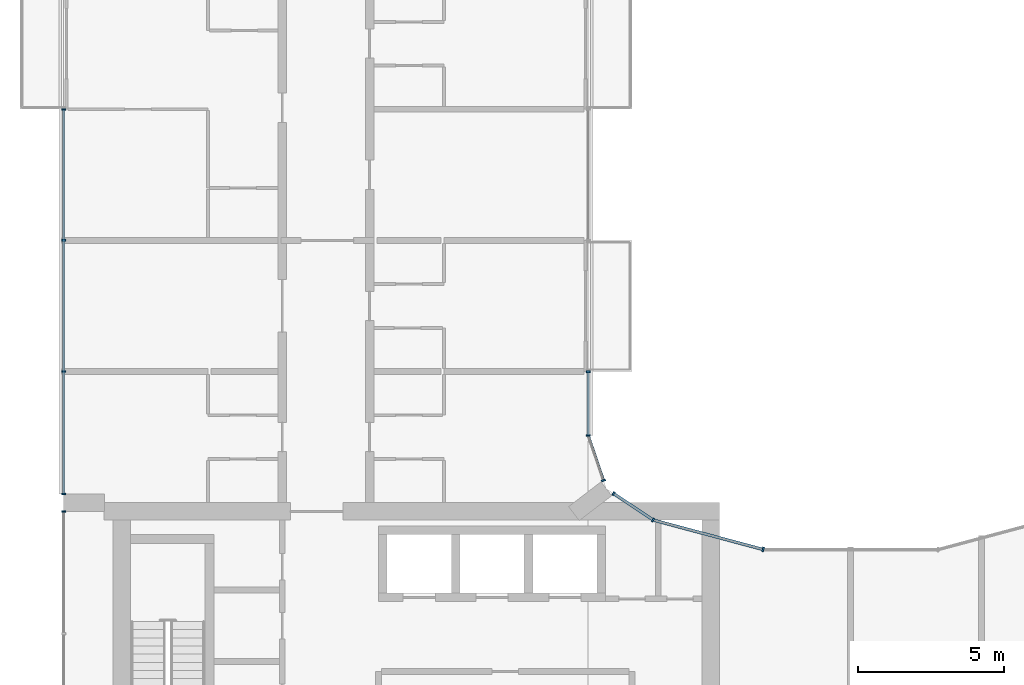
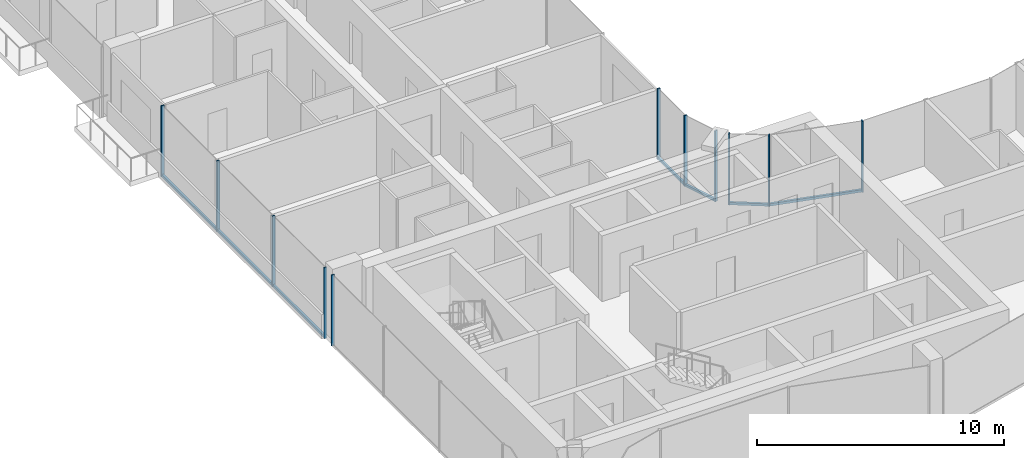
# One storey, part 4 of 15: 16 members, 6 elements without a shape of their own.
"""IFC4 building model written with IfcOpenShell, lengths in metres."""

from ifc_helpers import new_model, si_unit, direction, frame, origin, origin_2d, place, context, subcontext, project, spatial, rectangle, extrude, material, layer, layer_set, material_profile, profile_set, type_object, element, aggregate, save


model = new_model("IFC4")

# Units and contexts
model_context = context("Model", 3, precision=1e-05, world=origin(), true_north=direction((0.0, 1.0)))
body_context = subcontext(model_context, "Body", "Model", "MODEL_VIEW")
ifc_project = project(units=[si_unit("LENGTHUNIT", "METRE"), si_unit("AREAUNIT", "SQUARE_METRE"), si_unit("VOLUMEUNIT", "CUBIC_METRE"), si_unit("PLANEANGLEUNIT", "RADIAN"), si_unit("MASSUNIT", "GRAM", prefix="KILO")], contexts=[model_context])

# Site, building, storey
site_placement = place(None, origin())
site = spatial("IfcSite", under=ifc_project, at=site_placement, CompositionType="ELEMENT")
building_placement = place(site_placement, origin())
building = spatial("IfcBuilding", under=site, at=building_placement, Name="Plateau Cross Towers", CompositionType="ELEMENT")
storey_placement = place(building_placement, frame((0.0, 0.0, 170.89990234375)))
storey = spatial("IfcBuildingStorey", under=building, at=storey_placement, Name="L44", CompositionType="ELEMENT", Elevation=170.89990234375)

# Curtain wall, members
ifc_material_1 = material(Name="Dark low-iron glass", Category="glass")
ifc_layer_1 = layer(ifc_material_1, 0.239990234375)
ifc_layer_set_1 = layer_set([ifc_layer_1], Name="Dark low-iron glass")
curtain_wall_type_1 = type_object("IfcCurtainWallType", Name="Curtain wall flush unitised CW-B", PredefinedType="NOTDEFINED", material=ifc_layer_set_1)
curtain_wall_1_placement = place(storey_placement, origin())
curtain_wall_1 = element("IfcCurtainWall", 1, at=curtain_wall_1_placement, inside=storey, type_object=curtain_wall_type_1, Name="ENV/A/L44/A202_174", PredefinedType="NOTDEFINED")
ifc_material_2 = material(Name="Black anodised aluminium", Category="aluminium")
ifc_material_profile_1 = material_profile(ifc_material_2, rectangle(XDim=0.06005859375, YDim=0.139892578125, at=origin_2d()), Name="MULLION 60x140")
ifc_profile_set_1 = profile_set([ifc_material_profile_1], Name="Black anodised aluminium")
member_type_1 = type_object("IfcMemberType", Name="Mullion 60x140 flush unitised", PredefinedType="MULLION", material=ifc_profile_set_1)
member_1_placement = place(storey_placement, frame((20.223876953125, 17.404296875, -0.25), z_axis=(0.0, 0.0, 1.0), x_axis=(-0.831521253329, 0.555492938984, 0.0)))
member_1 = element("IfcMember", 2, at=member_1_placement, type_object=member_type_1, Name="CW-B mullion 1", PredefinedType="MULLION", context=body_context, shape_type="SweptSolid", body=[
    extrude(rectangle(XDim=0.06005859375, YDim=0.139892578125, at=origin_2d()), origin(), (0.0, 0.0, 1.0), 3.5),
])
member_2_placement = place(storey_placement, frame((18.86962890625, 18.30908203125, -0.25), z_axis=(0.0, 0.0, 1.0), x_axis=(-0.831521253329, 0.555492938984, 0.0)))
member_2 = element("IfcMember", 3, at=member_2_placement, type_object=member_type_1, Name="CW-B mullion 2", PredefinedType="MULLION", context=body_context, shape_type="SweptSolid", body=[
    extrude(rectangle(XDim=0.06005859375, YDim=0.139892578125, at=origin_2d()), origin(), (0.0, 0.0, 1.0), 3.5),
])

# Curtain wall, member
curtain_wall_2_placement = place(storey_placement, origin())
curtain_wall_2 = element("IfcCurtainWall", 4, at=curtain_wall_2_placement, inside=storey, type_object=curtain_wall_type_1, Name="ENV/A/L44/A185_188", PredefinedType="NOTDEFINED")
member_3_placement = place(storey_placement, frame((18.523681640625, 18.760009765625, -0.25), z_axis=(0.0, 0.0, 1.0), x_axis=(-0.321469161574, 0.94692004845, 0.0)))
member_3 = element("IfcMember", 5, at=member_3_placement, type_object=member_type_1, Name="CW-B mullion 1", PredefinedType="MULLION", context=body_context, shape_type="SweptSolid", body=[
    extrude(rectangle(XDim=0.06005859375, YDim=0.139892578125, at=origin_2d()), origin(), (0.0, 0.0, 1.0), 3.5),
])

# Curtain wall, members
curtain_wall_3_placement = place(storey_placement, origin())
curtain_wall_3 = element("IfcCurtainWall", 6, at=curtain_wall_3_placement, inside=storey, type_object=curtain_wall_type_1, Name="ENV/A/L44/A180_203", PredefinedType="NOTDEFINED")
member_4_placement = place(storey_placement, frame((18.0, 20.30224609375, -0.25), z_axis=(0.0, 0.0, 1.0), x_axis=(0.0, 1.0, 0.0)))
member_4 = element("IfcMember", 7, at=member_4_placement, type_object=member_type_1, Name="CW-B mullion 1", PredefinedType="MULLION", context=body_context, shape_type="SweptSolid", body=[
    extrude(rectangle(XDim=0.06005859375, YDim=0.139892578125, at=origin_2d()), origin(), (0.0, 0.0, 1.0), 3.5),
])
member_5_placement = place(storey_placement, frame((18.0, 22.489990234375, -0.25), z_axis=(0.0, 0.0, 1.0), x_axis=(0.0, 1.0, 0.0)))
member_5 = element("IfcMember", 8, at=member_5_placement, type_object=member_type_1, Name="CW-B mullion 2", PredefinedType="MULLION", context=body_context, shape_type="SweptSolid", body=[
    extrude(rectangle(XDim=0.06005859375, YDim=0.139892578125, at=origin_2d()), origin(), (0.0, 0.0, 1.0), 3.5),
])

curtain_wall_4_placement = place(storey_placement, origin())
curtain_wall_4 = element("IfcCurtainWall", 9, at=curtain_wall_4_placement, inside=storey, type_object=curtain_wall_type_1, Name="ENV/A/L44/A0_315", PredefinedType="NOTDEFINED")
member_6_placement = place(storey_placement, frame((0.0, 31.489990234375, -0.25), z_axis=(0.0, 0.0, 1.0), x_axis=(0.0, -1.0, 0.0)))
member_6 = element("IfcMember", 10, at=member_6_placement, type_object=member_type_1, Name="CW-B mullion 1", PredefinedType="MULLION", context=body_context, shape_type="SweptSolid", body=[
    extrude(rectangle(XDim=0.06005859375, YDim=0.139892578125, at=origin_2d()), origin(), (0.0, 0.0, 1.0), 3.5),
])
member_7_placement = place(storey_placement, frame((0.0, 27.0, -0.25), z_axis=(0.0, 0.0, 1.0), x_axis=(0.0, -1.0, 0.0)))
member_7 = element("IfcMember", 11, at=member_7_placement, type_object=member_type_1, Name="CW-B mullion 2", PredefinedType="MULLION", context=body_context, shape_type="SweptSolid", body=[
    extrude(rectangle(XDim=0.06005859375, YDim=0.139892578125, at=origin_2d()), origin(), (0.0, 0.0, 1.0), 3.5),
])
member_8_placement = place(storey_placement, frame((0.0, 22.5, -0.25), z_axis=(0.0, 0.0, 1.0), x_axis=(0.0, -1.0, 0.0)))
member_8 = element("IfcMember", 12, at=member_8_placement, type_object=member_type_1, Name="CW-B mullion 3", PredefinedType="MULLION", context=body_context, shape_type="SweptSolid", body=[
    extrude(rectangle(XDim=0.06005859375, YDim=0.139892578125, at=origin_2d()), origin(), (0.0, 0.0, 1.0), 3.5),
])
member_9_placement = place(storey_placement, frame((0.0, 18.300048828125, -0.25), z_axis=(0.0, 0.0, 1.0), x_axis=(0.0, -1.0, 0.0)))
member_9 = element("IfcMember", 13, at=member_9_placement, type_object=member_type_1, Name="CW-B mullion 4", PredefinedType="MULLION", context=body_context, shape_type="SweptSolid", body=[
    extrude(rectangle(XDim=0.06005859375, YDim=0.139892578125, at=origin_2d()), origin(), (0.0, 0.0, 1.0), 3.5),
])

# Curtain wall, member
curtain_wall_5_placement = place(storey_placement, origin())
curtain_wall_5 = element("IfcCurtainWall", 14, at=curtain_wall_5_placement, inside=storey, type_object=curtain_wall_type_1, Name="ENV/A/L44/A0_177", PredefinedType="NOTDEFINED")
member_10_placement = place(storey_placement, frame((0.0, 17.699951171875, -0.25), z_axis=(0.0, 0.0, 1.0), x_axis=(0.0, -1.0, 0.0)))
member_10 = element("IfcMember", 15, at=member_10_placement, type_object=member_type_1, Name="CW-B mullion 1", PredefinedType="MULLION", context=body_context, shape_type="SweptSolid", body=[
    extrude(rectangle(XDim=0.06005859375, YDim=0.139892578125, at=origin_2d()), origin(), (0.0, 0.0, 1.0), 3.5),
])
aggregate(curtain_wall_5, [member_10])

ifc_layer_2 = layer(ifc_material_1, 0.260009765625)
ifc_layer_set_2 = layer_set([ifc_layer_2], Name="Dark low-iron glass")
curtain_wall_type_2 = type_object("IfcCurtainWallType", Name="Curtain wall fluted unitised CW-A", PredefinedType="NOTDEFINED", material=ifc_layer_set_2)
curtain_wall_6_placement = place(storey_placement, origin())
curtain_wall_6 = element("IfcCurtainWall", 16, at=curtain_wall_6_placement, inside=storey, type_object=curtain_wall_type_2, Name="ENV/A/L44/A240_164", PredefinedType="NOTDEFINED")
ifc_material_profile_2 = material_profile(ifc_material_2, rectangle(XDim=0.06005859375, YDim=0.159912109375, at=origin_2d()), Name="MULLION 60x160")
ifc_profile_set_2 = profile_set([ifc_material_profile_2], Name="Black anodised aluminium")
member_type_2 = type_object("IfcMemberType", Name="Mullion 60x160 fluted unitised", PredefinedType="MULLION", material=ifc_profile_set_2)
member_11_placement = place(storey_placement, frame((24.0, 16.39306640625, -0.25), z_axis=(0.0, 0.0, 1.0), x_axis=(-0.965957995816, 0.258698956933, 0.0)))
member_11 = element("IfcMember", 17, at=member_11_placement, type_object=member_type_2, Name="CW-A mullion 1", PredefinedType="MULLION", context=body_context, shape_type="SweptSolid", body=[
    extrude(rectangle(XDim=0.06005859375, YDim=0.159912109375, at=origin_2d()), origin(), (0.0, 0.0, 1.0), 3.5),
])

# Member
ifc_material_profile_3 = material_profile(ifc_material_2, rectangle(XDim=0.10009765625, YDim=0.1201171875, at=origin_2d()), Name="TRANSOM 100x120")
ifc_profile_set_3 = profile_set([ifc_material_profile_3], Name="Black anodised aluminium")
member_type_3 = type_object("IfcMemberType", Name="Transom 100x120 flush unitised", PredefinedType="USERDEFINED", material=ifc_profile_set_3)
member_12_placement = place(storey_placement, frame((20.223876953125, 17.404296875, -0.18994140625), z_axis=(-0.831496402487, 0.555530136582, 0.0), x_axis=(-0.555530136582, -0.831496402487, 0.0)))
member_12 = element("IfcMember", 18, at=member_12_placement, type_object=member_type_3, Name="CW-B transom", ObjectType="TRANSOM", PredefinedType="USERDEFINED", context=body_context, shape_type="SweptSolid", body=[
    extrude(rectangle(XDim=0.10009765625, YDim=0.1201171875, at=origin_2d()), origin(), (0.0, 0.0, 1.0), 1.628662109375),
])

aggregate(curtain_wall_1, [member_1, member_2, member_12])

member_13_placement = place(storey_placement, frame((18.523681640625, 18.760009765625, -0.18994140625), z_axis=(-0.321529174838, 0.946899672472, 0.0), x_axis=(-0.946899672472, -0.321529174838, 0.0)))
member_13 = element("IfcMember", 19, at=member_13_placement, type_object=member_type_3, Name="CW-B transom", ObjectType="TRANSOM", PredefinedType="USERDEFINED", context=body_context, shape_type="SweptSolid", body=[
    extrude(rectangle(XDim=0.10009765625, YDim=0.1201171875, at=origin_2d()), origin(), (0.0, 0.0, 1.0), 1.628662109375),
])

aggregate(curtain_wall_2, [member_3, member_13])

member_14_placement = place(storey_placement, frame((18.0, 20.30224609375, -0.18994140625), z_axis=(0.0, 1.0, 0.0), x_axis=(-1.0, 0.0, 0.0)))
member_14 = element("IfcMember", 20, at=member_14_placement, type_object=member_type_3, Name="CW-B transom", ObjectType="TRANSOM", PredefinedType="USERDEFINED", context=body_context, shape_type="SweptSolid", body=[
    extrude(rectangle(XDim=0.10009765625, YDim=0.1201171875, at=origin_2d()), origin(), (0.0, 0.0, 1.0), 2.187744140625),
])

aggregate(curtain_wall_3, [member_4, member_5, member_14])

member_15_placement = place(storey_placement, frame((0.0, 31.489990234375, -0.18994140625), z_axis=(0.0, -1.0, 0.0), x_axis=(1.0, 0.0, 0.0)))
member_15 = element("IfcMember", 21, at=member_15_placement, type_object=member_type_3, Name="CW-B transom", ObjectType="TRANSOM", PredefinedType="USERDEFINED", context=body_context, shape_type="SweptSolid", body=[
    extrude(rectangle(XDim=0.10009765625, YDim=0.1201171875, at=origin_2d()), origin(), (0.0, 0.0, 1.0), 13.18994140625),
])

aggregate(curtain_wall_4, [member_6, member_7, member_8, member_9, member_15])

ifc_material_profile_4 = material_profile(ifc_material_2, rectangle(XDim=0.10009765625, YDim=0.1201171875, at=origin_2d()), Name="TRANSOM 100x120")
ifc_profile_set_4 = profile_set([ifc_material_profile_4], Name="Black anodised aluminium")
member_type_4 = type_object("IfcMemberType", Name="Transom 100x120 fluted unitised", PredefinedType="USERDEFINED", material=ifc_profile_set_4)
member_16_placement = place(storey_placement, frame((24.0, 16.39306640625, -0.18994140625), z_axis=(-0.965962822393, 0.25868093427, 0.0), x_axis=(-0.25868093427, -0.965962822393, 0.0)))
member_16 = element("IfcMember", 22, at=member_16_placement, type_object=member_type_4, Name="CW-A transom", ObjectType="TRANSOM", PredefinedType="USERDEFINED", context=body_context, shape_type="SweptSolid", body=[
    extrude(rectangle(XDim=0.10009765625, YDim=0.1201171875, at=origin_2d()), origin(), (0.0, 0.0, 1.0), 3.9091796875),
])

aggregate(curtain_wall_6, [member_11, member_16])

save(model, "model.ifc")
